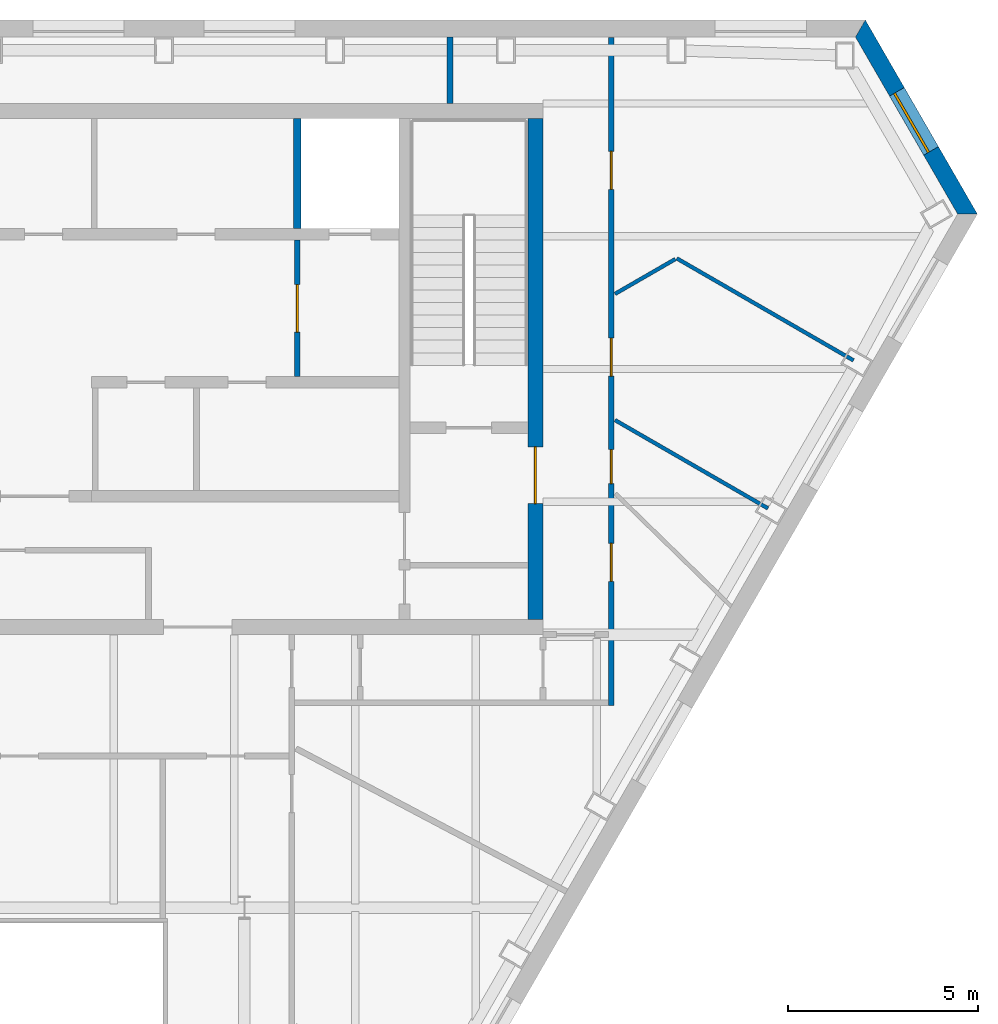
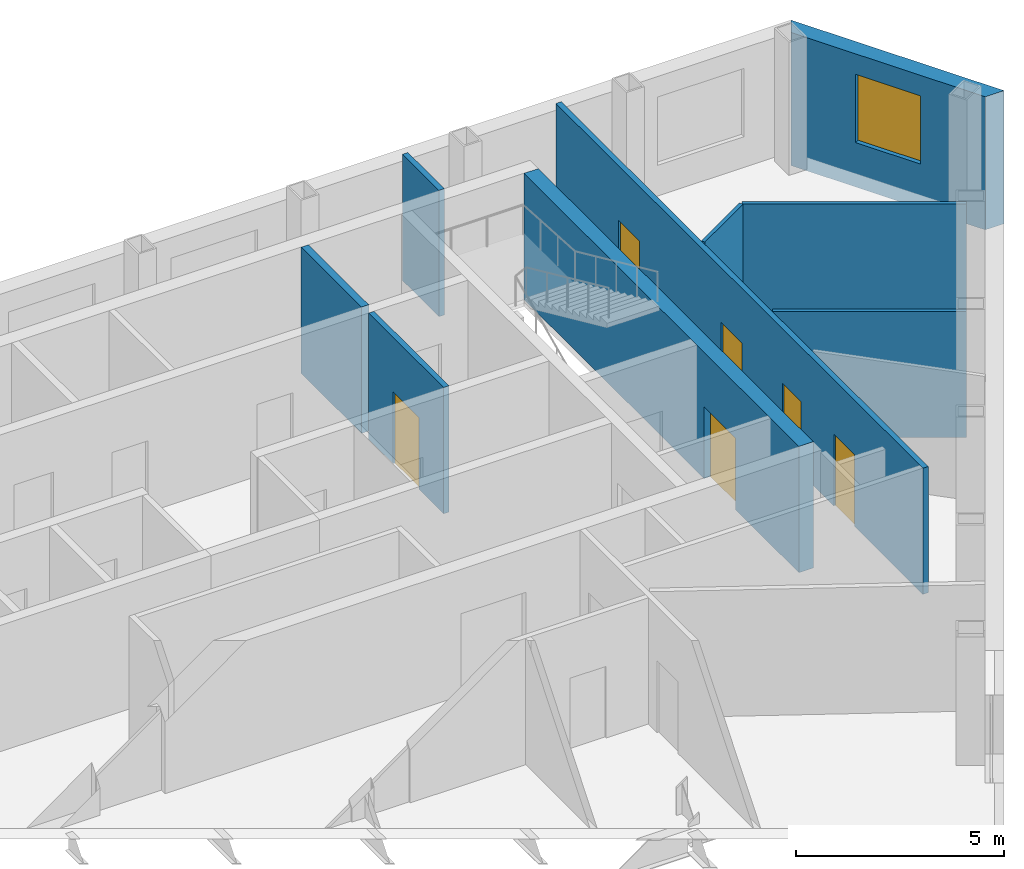
# One storey, part 7 of 10: 9 walls, 6 doors, 1 window, 7 openings.
"""IFC4 building model written with IfcOpenShell, lengths in metres."""

from ifc_helpers import new_model, si_unit, direction, frame, frame_2d, origin, place, context, subcontext, project, spatial, polyline, rectangle, outline, extrude, material, layer, layer_set, type_object, element, fill, save


model = new_model("IFC4")

# Units and contexts
model_context = context("Model", 3, precision=1e-05, world=origin(), true_north=direction((0.0, 1.0)))
body_context = subcontext(model_context, "Body", "Model", "MODEL_VIEW")
ifc_project = project(units=[si_unit("LENGTHUNIT", "METRE"), si_unit("AREAUNIT", "SQUARE_METRE"), si_unit("VOLUMEUNIT", "CUBIC_METRE"), si_unit("PLANEANGLEUNIT", "RADIAN"), si_unit("MASSUNIT", "GRAM", prefix="KILO")], contexts=[model_context])

# Site, building, storey
site_placement = place(None, origin())
site = spatial("IfcSite", under=ifc_project, at=site_placement, CompositionType="ELEMENT")
building_placement = place(site_placement, origin())
building = spatial("IfcBuilding", under=site, at=building_placement, Name="Njiva Tower", CompositionType="ELEMENT")
storey_placement = place(building_placement, frame((0.0, 0.0, 261.0)))
storey = spatial("IfcBuildingStorey", under=building, at=storey_placement, Name="L59", CompositionType="ELEMENT", Elevation=261.0)

# Wall, opening, door
ifc_material_1 = material(Name="Concrete C60/75", Category="concrete")
ifc_layer_1 = layer(ifc_material_1, 0.4)
ifc_layer_set_1 = layer_set([ifc_layer_1], Name="Concrete C60/75")
wall_type_1 = type_object("IfcWallType", Name="WT11 Core wall 400", PredefinedType="SHEAR", material=ifc_layer_set_1)
wall_1_placement = place(storey_placement, frame((14.3, 4.4, 0.0), z_axis=(0.0, 0.0, 1.0), x_axis=(0.0, 1.0, 0.0)))
wall_1 = element("IfcWall", 1, at=wall_1_placement, inside=storey, type_object=wall_type_1, Name="Core wall east", PredefinedType="SHEAR", context=body_context, shape_type="SweptSolid", body=[
    extrude(rectangle(XDim=13.2, YDim=0.4, at=frame_2d((6.6, 0.0))), origin(), (0.0, 0.0, 1.0), 3.7),
])
opening_1_placement = place(wall_1_placement, frame((3.05, 0.0, 0.0)))
opening_1 = element("IfcOpeningElement", 2, at=opening_1_placement, cuts=wall_1, Name="Opening S19-D922", PredefinedType="OPENING", context=body_context, shape_type="SweptSolid", body=[
    extrude(rectangle(XDim=1.5, YDim=2.1, at=frame_2d((0.75, 1.05))), frame((0.0, 0.21, 0.0), z_axis=(0.0, -1.0, 0.0), x_axis=(1.0, 0.0, 0.0)), (0.0, 0.0, 1.0), 0.42),
])
ifc_material_2 = material(Name="Glazed steel fire door", Category="steel")
door_type_1 = type_object("IfcDoorType", Name="D10 Exit door double 1500x2100 glazed", OperationType="DOUBLE_DOOR_SINGLE_SWING", PredefinedType="DOOR", material=ifc_material_2)
door_1_placement = place(opening_1_placement, origin())
door_1 = element("IfcDoor", 3, at=door_1_placement, inside=storey, type_object=door_type_1, Name="Stair B corridor door", OperationType="DOUBLE_DOOR_SINGLE_SWING", OverallHeight=2.1, OverallWidth=1.5, PredefinedType="DOOR", context=body_context, shape_type="SweptSolid", body=[
    extrude(rectangle(XDim=1.5, YDim=2.1, at=frame_2d((0.75, 1.05))), frame((0.0, 0.025, 0.0), z_axis=(0.0, -1.0, 0.0), x_axis=(1.0, 0.0, 0.0)), (0.0, 0.0, 1.0), 0.05),
])
fill(opening_1, door_1)

ifc_material_3 = material(Name="Blockwork", Category="masonry")
ifc_layer_2 = layer(ifc_material_3, 0.15)
ifc_layer_set_2 = layer_set([ifc_layer_2], Name="Blockwork")
wall_type_2 = type_object("IfcWallType", Name="WT2 Lobby partition 150", PredefinedType="PARTITIONING", material=ifc_layer_set_2)
wall_2_placement = place(storey_placement, frame((8.025, 10.8, 0.0), z_axis=(0.0, 0.0, 1.0), x_axis=(0.0, 1.0, 0.0)))
wall_2 = element("IfcWall", 4, at=wall_2_placement, inside=storey, type_object=wall_type_2, Name="Firefighting lobby wall B", PredefinedType="PARTITIONING", context=body_context, shape_type="SweptSolid", body=[
    extrude(rectangle(XDim=3.6, YDim=0.15, at=frame_2d((1.8, 0.0))), origin(), (0.0, 0.0, 1.0), 3.7),
])
opening_2_placement = place(wall_2_placement, frame((1.175, 0.0, 0.0)))
opening_2 = element("IfcOpeningElement", 5, at=opening_2_placement, cuts=wall_2, Name="Opening S19-D919", PredefinedType="OPENING", context=body_context, shape_type="SweptSolid", body=[
    extrude(rectangle(XDim=1.25, YDim=2.1, at=frame_2d((0.625, 1.05))), frame((0.0, 0.085, 0.0), z_axis=(0.0, -1.0, 0.0), x_axis=(1.0, 0.0, 0.0)), (0.0, 0.0, 1.0), 0.17),
])
door_type_2 = type_object("IfcDoorType", Name="D8 Vestibule corridor door 1250x2100 glazed", OperationType="SINGLE_SWING_LEFT", PredefinedType="DOOR", material=ifc_material_2)
door_2_placement = place(opening_2_placement, origin())
door_2 = element("IfcDoor", 6, at=door_2_placement, inside=storey, type_object=door_type_2, Name="Stair vestibule corridor door", OperationType="SINGLE_SWING_LEFT", OverallHeight=2.1, OverallWidth=1.25, PredefinedType="DOOR", context=body_context, shape_type="SweptSolid", body=[
    extrude(rectangle(XDim=1.25, YDim=2.1, at=frame_2d((0.625, 1.05))), frame((0.0, 0.025, 0.0), z_axis=(0.0, -1.0, 0.0), x_axis=(1.0, 0.0, 0.0)), (0.0, 0.0, 1.0), 0.05),
])
fill(opening_2, door_2)

# Walls
ifc_material_4 = material(Name="Gypsum board on steel studs", Category="gypsum")
ifc_layer_3 = layer(ifc_material_4, 0.1)
ifc_layer_set_3 = layer_set([ifc_layer_3], Name="Gypsum board on steel studs")
wall_type_3 = type_object("IfcWallType", Name="WT20 Gypsum partition 100", PredefinedType="PARTITIONING", material=ifc_layer_set_3)
wall_3_placement = place(storey_placement, frame((16.4, 12.982, 0.0), z_axis=(0.0, 0.0, 1.0), x_axis=(0.866221908719, 0.499659488908, 0.0)))
element("IfcWall", 7, at=wall_3_placement, inside=storey, type_object=wall_type_3, Name="Partition S19-P031", PredefinedType="PARTITIONING", context=body_context, shape_type="SweptSolid", body=[
    extrude(rectangle(XDim=1.8332, YDim=0.1, at=frame_2d((0.9166, 0.0))), origin(), (0.0, 0.0, 1.0), 3.7),
])
wall_4_placement = place(storey_placement, frame((16.4, 9.654, 0.0), z_axis=(0.0, 0.0, 1.0), x_axis=(0.86606758311, -0.499926936147, 0.0)))
element("IfcWall", 8, at=wall_4_placement, inside=storey, type_object=wall_type_3, Name="Partition S19-P032", PredefinedType="PARTITIONING", context=body_context, shape_type="SweptSolid", body=[
    extrude(rectangle(XDim=4.6567, YDim=0.1, at=frame_2d((2.3284, 0.0))), origin(), (0.0, 0.0, 1.0), 3.7),
])
wall_5_placement = place(storey_placement, frame((18.026, 13.919, 0.0), z_axis=(0.0, 0.0, 1.0), x_axis=(0.866061796884, -0.499936960004, 0.0)))
element("IfcWall", 9, at=wall_5_placement, inside=storey, type_object=wall_type_3, Name="Partition S19-P034", PredefinedType="PARTITIONING", context=body_context, shape_type="SweptSolid", body=[
    extrude(rectangle(XDim=5.3807, YDim=0.1, at=frame_2d((2.6904, 0.0))), origin(), (0.0, 0.0, 1.0), 3.7),
])
ifc_layer_4 = layer(ifc_material_4, 0.15)
ifc_layer_set_4 = layer_set([ifc_layer_4], Name="Gypsum board on steel studs")
wall_type_4 = type_object("IfcWallType", Name="WT21 Compartment wall 150", PredefinedType="PARTITIONING", material=ifc_layer_set_4)
wall_6_placement = place(storey_placement, frame((12.05, 18.0, 0.0), z_axis=(0.0, 0.0, 1.0), x_axis=(0.0, 1.0, 0.0)))
element("IfcWall", 10, at=wall_6_placement, inside=storey, type_object=wall_type_4, Name="Partition S19-P027", PredefinedType="PARTITIONING", context=body_context, shape_type="SweptSolid", body=[
    extrude(rectangle(XDim=1.75, YDim=0.15, at=frame_2d((0.875, 0.0))), origin(), (0.0, 0.0, 1.0), 3.7),
])

# Wall, openings, doors
wall_7_placement = place(storey_placement, frame((16.3, 2.125, 0.0), z_axis=(0.0, 0.0, 1.0), x_axis=(0.0, 1.0, 0.0)))
wall_7 = element("IfcWall", 11, at=wall_7_placement, inside=storey, type_object=wall_type_4, Name="Partition S19-P030", PredefinedType="PARTITIONING", context=body_context, shape_type="SweptSolid", body=[
    extrude(rectangle(XDim=17.622, YDim=0.15, at=frame_2d((8.811, 0.0))), origin(), (0.0, 0.0, 1.0), 3.7),
])
opening_3_placement = place(wall_7_placement, frame((3.281, 0.0, 0.0)))
opening_3 = element("IfcOpeningElement", 12, at=opening_3_placement, cuts=wall_7, Name="Opening S19-D022", PredefinedType="OPENING", context=body_context, shape_type="SweptSolid", body=[
    extrude(rectangle(XDim=1.0, YDim=2.1, at=frame_2d((0.5, 1.05))), frame((0.0, 0.085, 0.0), z_axis=(0.0, -1.0, 0.0), x_axis=(1.0, 0.0, 0.0)), (0.0, 0.0, 1.0), 0.17),
])
opening_4_placement = place(wall_7_placement, frame((5.853, 0.0, 0.0)))
opening_4 = element("IfcOpeningElement", 13, at=opening_4_placement, cuts=wall_7, Name="Opening S19-D023", PredefinedType="OPENING", context=body_context, shape_type="SweptSolid", body=[
    extrude(rectangle(XDim=0.9, YDim=2.1, at=frame_2d((0.45, 1.05))), frame((0.0, 0.085, 0.0), z_axis=(0.0, -1.0, 0.0), x_axis=(1.0, 0.0, 0.0)), (0.0, 0.0, 1.0), 0.17),
])
opening_5_placement = place(wall_7_placement, frame((8.692, 0.0, 0.0)))
opening_5 = element("IfcOpeningElement", 14, at=opening_5_placement, cuts=wall_7, Name="Opening S19-D024", PredefinedType="OPENING", context=body_context, shape_type="SweptSolid", body=[
    extrude(rectangle(XDim=1.0, YDim=2.1, at=frame_2d((0.5, 1.05))), frame((0.0, 0.085, 0.0), z_axis=(0.0, -1.0, 0.0), x_axis=(1.0, 0.0, 0.0)), (0.0, 0.0, 1.0), 0.17),
])
opening_6_placement = place(wall_7_placement, frame((13.611, 0.0, 0.0)))
opening_6 = element("IfcOpeningElement", 15, at=opening_6_placement, cuts=wall_7, Name="Opening S19-D025", PredefinedType="OPENING", context=body_context, shape_type="SweptSolid", body=[
    extrude(rectangle(XDim=1.0, YDim=2.1, at=frame_2d((0.5, 1.05))), frame((0.0, 0.085, 0.0), z_axis=(0.0, -1.0, 0.0), x_axis=(1.0, 0.0, 0.0)), (0.0, 0.0, 1.0), 0.17),
])
ifc_material_5 = material(Name="Steel fire door set", Category="steel")
door_type_3 = type_object("IfcDoorType", Name="D36 Fire door 900x2100", OperationType="SINGLE_SWING_LEFT", PredefinedType="DOOR", material=ifc_material_5)
door_3_placement = place(opening_4_placement, origin())
door_3 = element("IfcDoor", 16, at=door_3_placement, inside=storey, type_object=door_type_3, Name="Door S19-D023", OperationType="SINGLE_SWING_LEFT", OverallHeight=2.1, OverallWidth=0.9, PredefinedType="DOOR", context=body_context, shape_type="SweptSolid", body=[
    extrude(rectangle(XDim=0.9, YDim=2.1, at=frame_2d((0.45, 1.05))), frame((0.0, 0.025, 0.0), z_axis=(0.0, -1.0, 0.0), x_axis=(1.0, 0.0, 0.0)), (0.0, 0.0, 1.0), 0.05),
])
fill(opening_4, door_3)
door_type_4 = type_object("IfcDoorType", Name="D37 Fire door 1000x2100", OperationType="SINGLE_SWING_LEFT", PredefinedType="DOOR", material=ifc_material_5)
door_4_placement = place(opening_3_placement, origin())
door_4 = element("IfcDoor", 17, at=door_4_placement, inside=storey, type_object=door_type_4, Name="Door S19-D022", OperationType="SINGLE_SWING_LEFT", OverallHeight=2.1, OverallWidth=1.0, PredefinedType="DOOR", context=body_context, shape_type="SweptSolid", body=[
    extrude(rectangle(XDim=1.0, YDim=2.1, at=frame_2d((0.5, 1.05))), frame((0.0, 0.025, 0.0), z_axis=(0.0, -1.0, 0.0), x_axis=(1.0, 0.0, 0.0)), (0.0, 0.0, 1.0), 0.05),
])
fill(opening_3, door_4)
door_5_placement = place(opening_5_placement, origin())
door_5 = element("IfcDoor", 18, at=door_5_placement, inside=storey, type_object=door_type_4, Name="Door S19-D024", OperationType="SINGLE_SWING_RIGHT", OverallHeight=2.1, OverallWidth=1.0, PredefinedType="DOOR", context=body_context, shape_type="SweptSolid", body=[
    extrude(rectangle(XDim=1.0, YDim=2.1, at=frame_2d((0.5, 1.05))), frame((0.0, 0.025, 0.0), z_axis=(0.0, -1.0, 0.0), x_axis=(1.0, 0.0, 0.0)), (0.0, 0.0, 1.0), 0.05),
])
fill(opening_5, door_5)
door_6_placement = place(opening_6_placement, origin())
door_6 = element("IfcDoor", 19, at=door_6_placement, inside=storey, type_object=door_type_4, Name="Door S19-D025", OperationType="SINGLE_SWING_RIGHT", OverallHeight=2.1, OverallWidth=1.0, PredefinedType="DOOR", context=body_context, shape_type="SweptSolid", body=[
    extrude(rectangle(XDim=1.0, YDim=2.1, at=frame_2d((0.5, 1.05))), frame((0.0, 0.025, 0.0), z_axis=(0.0, -1.0, 0.0), x_axis=(1.0, 0.0, 0.0)), (0.0, 0.0, 1.0), 0.05),
])
fill(opening_6, door_6)

# Wall
ifc_material_6 = material(Name="Concrete C40/50", Category="concrete")
ifc_layer_5 = layer(ifc_material_6, 0.2)
ifc_layer_set_5 = layer_set([ifc_layer_5], Name="Concrete C40/50")
wall_type_5 = type_object("IfcWallType", Name="WT6 Lift shaft wall 200", PredefinedType="SHEAR", material=ifc_layer_set_5)
wall_8_placement = place(storey_placement, frame((8.025, 14.7, 0.0), z_axis=(0.0, 0.0, 1.0), x_axis=(0.0, 1.0, 0.0)))
element("IfcWall", 20, at=wall_8_placement, inside=storey, type_object=wall_type_5, Name="Shaft wall CN7", PredefinedType="SHEAR", context=body_context, shape_type="SweptSolid", body=[
    extrude(rectangle(XDim=2.9, YDim=0.2, at=frame_2d((1.45, 0.0))), origin(), (0.0, 0.0, 1.0), 3.7),
])

# Wall, opening, window
ifc_material_7 = material(Name="Brick masonry, buff", Category="masonry")
ifc_layer_6 = layer(ifc_material_7, 0.45)
ifc_layer_set_6 = layer_set([ifc_layer_6], Name="Brick masonry, buff")
wall_type_6 = type_object("IfcWallType", Name="WT94 Brick pier and spandrel wall 450, buff", PredefinedType="SOLIDWALL", material=ifc_layer_set_6)
wall_9_placement = place(storey_placement, frame((25.6939, 15.084, -0.4), z_axis=(0.0, 0.0, 1.0), x_axis=(-0.50000128263, 0.866024663256, 0.0)))
wall_9 = element("IfcWall", 21, at=wall_9_placement, inside=storey, type_object=wall_type_6, Name="Facade wall NE", PredefinedType="SOLIDWALL", context=body_context, shape_type="SweptSolid", body=[
    extrude(outline(polyline([(-0.1299, -0.225), (5.7801, -0.225), (5.5203, 0.225), (0.1299, 0.225), (-0.1299, -0.225)])), origin(), (0.0, 0.0, 1.0), 3.9),
])
opening_7_placement = place(wall_9_placement, frame((1.9251, 0.0, 1.3)))
opening_7 = element("IfcOpeningElement", 22, at=opening_7_placement, cuts=wall_9, Name="Opening S19-W28", PredefinedType="OPENING", context=body_context, shape_type="SweptSolid", body=[
    extrude(rectangle(XDim=1.8, YDim=2.0, at=frame_2d((0.9, 1.0))), frame((0.0, 0.235, 0.0), z_axis=(0.0, -1.0, 0.0), x_axis=(1.0, 0.0, 0.0)), (0.0, 0.0, 1.0), 0.47),
])
ifc_material_8 = material(Name="Clear glazing in aluminium frame", Category="aluminium")
window_type = type_object("IfcWindowType", Name="W94 Deep-set window 1800x2000", PartitioningType="SINGLE_PANEL", PredefinedType="WINDOW", material=ifc_material_8)
window_placement = place(opening_7_placement, origin())
window = element("IfcWindow", 23, at=window_placement, inside=storey, type_object=window_type, Name="Window", OverallHeight=2.0, OverallWidth=1.8, PartitioningType="SINGLE_PANEL", PredefinedType="WINDOW", context=body_context, shape_type="SweptSolid", body=[
    extrude(rectangle(XDim=1.8, YDim=2.0, at=frame_2d((0.9, 1.0))), frame((0.0, 0.105, 0.0), z_axis=(0.0, -1.0, 0.0), x_axis=(1.0, 0.0, 0.0)), (0.0, 0.0, 1.0), 0.06),
])
fill(opening_7, window)

save(model, "model.ifc")
